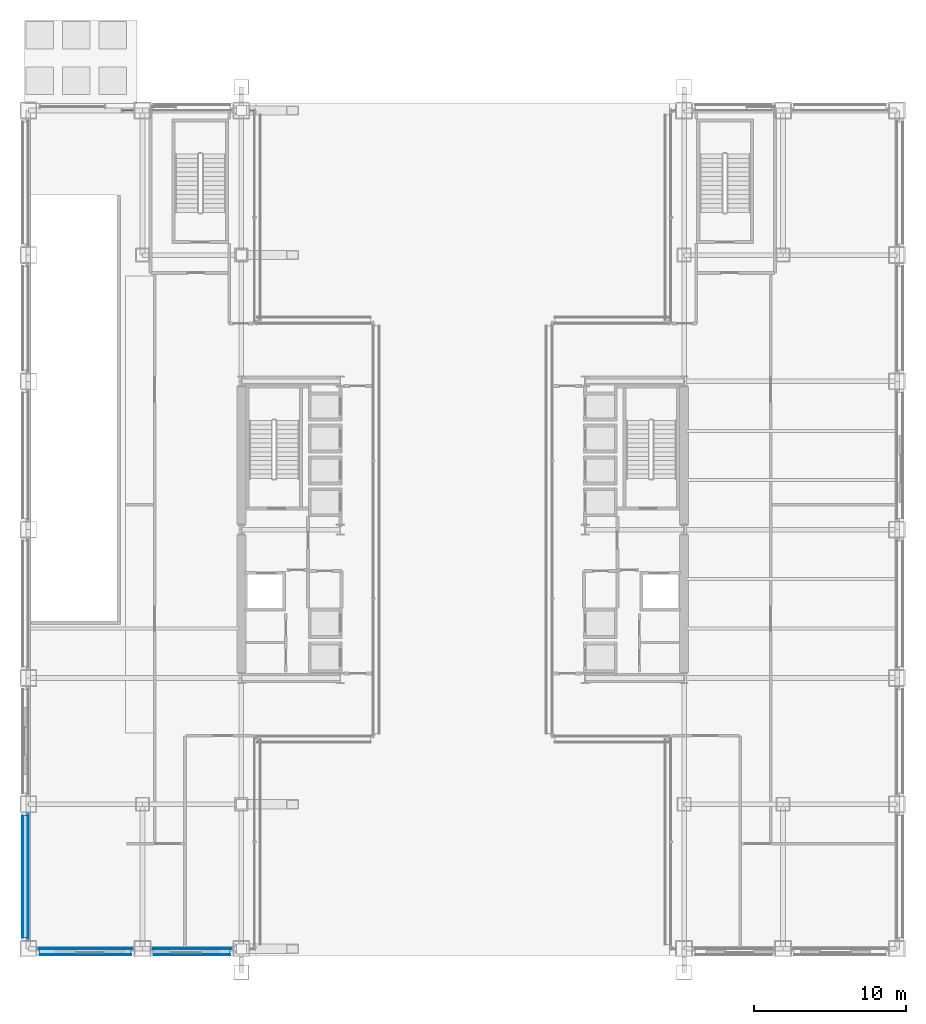
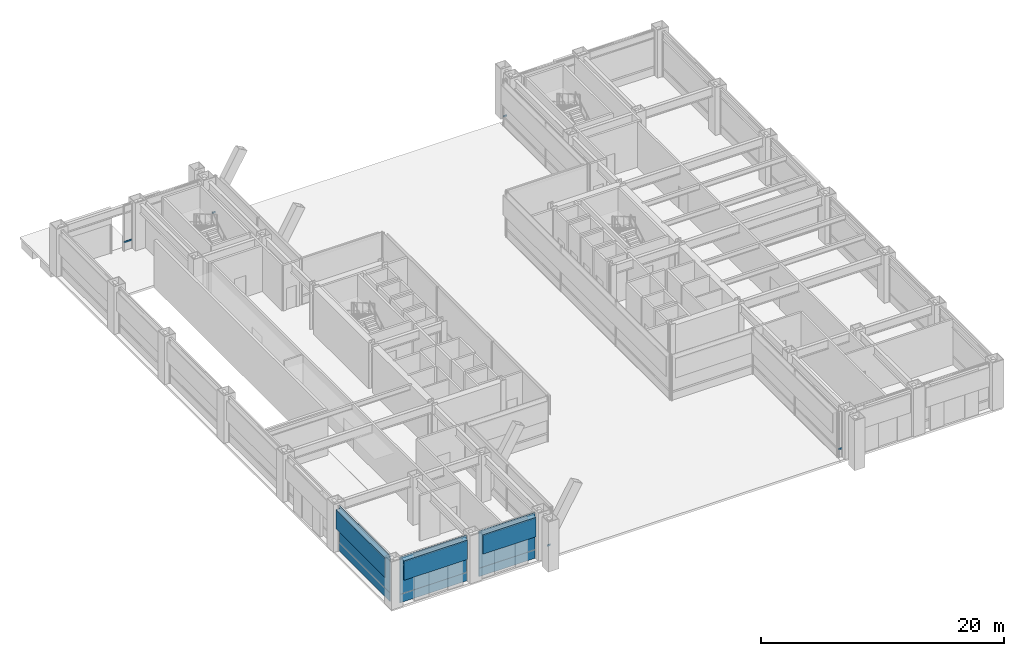
# One storey, part 21 of 37: 12 plates, 5 members, 8 elements without a shape of their own.
"""IFC4 building model written with IfcOpenShell, lengths in metres."""

import ifcopenshell
import ifcopenshell.guid

model = None  # the IFC model being written
_history = None  # IfcOwnerHistory: only IFC2X3 demands one
_inside = {}  # id of a spatial element -> (the spatial element, [elements in it])
_under = {}  # id of a project, library or spatial element -> (it, [spatial elements below it])
_declared = {}  # id of a project -> (the project, [libraries it declares])
_typed = {}  # id of a type object -> (the type object, [elements of that type])
_made_of = {}  # id of a material, layer set ... -> (it, [elements and type objects made of it])


def new_model(schema):
    """Start an empty IFC model of exactly this schema.

    Asked for "IFC4X3", IfcOpenShell would pick the latest addendum, in which some entities
    have other attributes; the version numbers below select the first issue.
    IFC2X3 requires an IfcOwnerHistory on every rooted entity: one is made here for all.
    """
    global model, _history
    if schema == "IFC4X3":
        model = ifcopenshell.file(schema_version=(4, 3, 0, 0))
    else:
        model = ifcopenshell.file(schema=schema)
    _inside.clear()
    _under.clear()
    _declared.clear()
    _typed.clear()
    _made_of.clear()
    _history = None
    if model.schema == "IFC2X3":
        org = make("IfcOrganization", Name="unknown")
        user = make(
            "IfcPersonAndOrganization",
            ThePerson=make("IfcPerson", FamilyName="unknown"),
            TheOrganization=org,
        )
        app = make(
            "IfcApplication",
            ApplicationDeveloper=org,
            Version="unknown",
            ApplicationFullName="unknown",
            ApplicationIdentifier="unknown",
        )
        _history = make(
            "IfcOwnerHistory",
            OwningUser=user,
            OwningApplication=app,
            ChangeAction="ADDED",
            CreationDate=0,
        )
    return model


def make(cls, **values):
    """One entity of the class cls with the attributes given. An attribute that is None is left unset."""
    return model.create_entity(
        cls, **{name: value for name, value in values.items() if value is not None}
    )


def rooted(cls, **values):
    """An entity with a GlobalId (a new one), such as an element, a storey or a relation."""
    return make(cls, GlobalId=ifcopenshell.guid.new(), OwnerHistory=_history, **values)


def si_unit(unit_type, name, prefix=None):
    """IfcSIUnit, for example si_unit("LENGTHUNIT", "METRE", prefix="MILLI")."""
    return make("IfcSIUnit", UnitType=unit_type, Prefix=prefix, Name=name)


def assignment(units):
    """IfcUnitAssignment: the units of a project."""
    return None if units is None else make("IfcUnitAssignment", Units=units)


def point(xyz):
    """IfcCartesianPoint."""
    return None if xyz is None else make("IfcCartesianPoint", Coordinates=xyz)


def direction(xyz):
    """IfcDirection."""
    return None if xyz is None else make("IfcDirection", DirectionRatios=xyz)


def frame(location, z_axis=None, x_axis=None):
    """IfcAxis2Placement3D, a coordinate frame: its origin and axes. An axis left out is left unset."""
    return make(
        "IfcAxis2Placement3D",
        Location=point(location),
        Axis=direction(z_axis),
        RefDirection=direction(x_axis),
    )


def frame_2d(location, x_axis=None):
    """IfcAxis2Placement2D, a coordinate frame in the plane: its origin and x axis."""
    return make(
        "IfcAxis2Placement2D", Location=point(location), RefDirection=direction(x_axis)
    )


def origin():
    """The frame at (0, 0, 0) with its axes left unset."""
    return frame((0.0, 0.0, 0.0))


def origin_2d():
    """The frame at (0, 0) in the plane with its x axis left unset."""
    return frame_2d((0.0, 0.0))


def place(relative_to, where):
    """IfcLocalPlacement: puts the frame where relative to a parent placement (None: the world)."""
    return make(
        "IfcLocalPlacement", PlacementRelTo=relative_to, RelativePlacement=where
    )


def context(
    kind, dimensions, precision=None, world=None, true_north=None, identifier=None
):
    """IfcGeometricRepresentationContext, for example the 3D "Model" context."""
    return make(
        "IfcGeometricRepresentationContext",
        ContextIdentifier=identifier,
        ContextType=kind,
        CoordinateSpaceDimension=dimensions,
        Precision=precision,
        WorldCoordinateSystem=world,
        TrueNorth=true_north,
    )


def subcontext(parent, identifier, kind, view, scale=None):
    """IfcGeometricRepresentationSubContext, for example "Body" below "Model"."""
    return make(
        "IfcGeometricRepresentationSubContext",
        ContextIdentifier=identifier,
        ContextType=kind,
        ParentContext=parent,
        TargetScale=scale,
        TargetView=view,
    )


def project(units=None, contexts=None):
    """IfcProject with its units and contexts."""
    return rooted(
        "IfcProject",
        Name="project",
        RepresentationContexts=contexts,
        UnitsInContext=assignment(units),
    )


def spatial(cls, under=None, at=None, **own):
    """A site, building, storey or space (cls), placed at a placement, below another one or the project."""
    s = rooted(cls, ObjectPlacement=at, **own)
    if under is not None:
        _under.setdefault(under.id(), (under, []))[1].append(s)
    return s


def profile(cls, at=None, kind="AREA", **sizes):
    """A parametric profile (cls). Its sizes go by their IFC names, for example OverallWidth=200.0."""
    return make(cls, ProfileType=kind, Position=at, **sizes)


def rectangle(**sizes):
    """IfcRectangleProfileDef."""
    return profile("IfcRectangleProfileDef", **sizes)


def hollow_rectangle(**sizes):
    """IfcRectangleHollowProfileDef."""
    return profile("IfcRectangleHollowProfileDef", **sizes)


def extrude(swept, where, along, depth):
    """IfcExtrudedAreaSolid: the profile swept, set in the frame where, extruded along a direction by depth."""
    return make(
        "IfcExtrudedAreaSolid",
        SweptArea=swept,
        Position=where,
        ExtrudedDirection=direction(along),
        Depth=depth,
    )


def shape(context_of_items, identifier, shape_type, items):
    """IfcShapeRepresentation: the items that make up one representation, for example the "Body"."""
    return make(
        "IfcShapeRepresentation",
        ContextOfItems=context_of_items,
        RepresentationIdentifier=identifier,
        RepresentationType=shape_type,
        Items=items,
    )


def material(Name=None, Category=None):
    """IfcMaterial."""
    return make("IfcMaterial", Name=Name, Category=Category)


def layer(
    of_material, thickness, ventilated=None, Name=None, Category=None, Priority=None
):
    """IfcMaterialLayer: one layer of a wall or slab, of a material (None: an air gap)."""
    return make(
        "IfcMaterialLayer",
        Material=of_material,
        LayerThickness=thickness,
        IsVentilated=ventilated,
        Name=Name,
        Category=Category,
        Priority=Priority,
    )


def layer_set(layers, Name=None):
    """IfcMaterialLayerSet."""
    return make("IfcMaterialLayerSet", MaterialLayers=layers, LayerSetName=Name)


def material_profile(
    of_material, cross_section, Name=None, Category=None, Priority=None
):
    """IfcMaterialProfile: a cross section and its material."""
    return make(
        "IfcMaterialProfile",
        Name=Name,
        Material=of_material,
        Profile=cross_section,
        Priority=Priority,
        Category=Category,
    )


def profile_set(profiles, Name=None, composite=None):
    """IfcMaterialProfileSet."""
    return make(
        "IfcMaterialProfileSet",
        Name=Name,
        MaterialProfiles=profiles,
        CompositeProfile=composite,
    )


def made_of(thing, what):
    """Note that an element or type object is made of a material, layer set ...; save() writes the relation."""
    if what is not None:
        _made_of.setdefault(what.id(), (what, []))[1].append(thing)
    return thing


def type_object(cls, material=None, **own):
    """A type object (cls), such as IfcWallType, which elements share."""
    return made_of(rooted(cls, **own), material)


def element(
    cls,
    number,
    at=None,
    inside=None,
    cuts=None,
    type_object=None,
    material=None,
    context=None,
    identifier="Body",
    shape_type=None,
    held_by="IfcProductDefinitionShape",
    body=None,
    shapes=None,
    **own,
):
    """One element of the class cls, such as IfcWall. Its Tag is "e" and its number.

    at: its placement. inside: the storey or other place that contains it. cuts: it is an
    opening in that element (IfcRelVoidsElement). A single representation is given by context,
    identifier, shape_type and body (its items); several are given by shapes. held_by: the class
    of the entity that holds the representations. save() writes the other relations.
    """
    e = rooted(cls, Tag="e%d" % number, ObjectPlacement=at, **own)
    if body is not None:
        shapes = [shape(context, identifier, shape_type, body)]
    if shapes is not None:
        e.Representation = make(held_by, Representations=shapes)
    if inside is not None:
        _inside.setdefault(inside.id(), (inside, []))[1].append(e)
    if cuts is not None:
        rooted(
            "IfcRelVoidsElement", RelatingBuildingElement=cuts, RelatedOpeningElement=e
        )
    if type_object is not None:
        _typed.setdefault(type_object.id(), (type_object, []))[1].append(e)
    return made_of(e, material)


def aggregate(whole, parts):
    """IfcRelAggregates: a whole, such as a stair, and the parts it consists of."""
    return rooted("IfcRelAggregates", RelatingObject=whole, RelatedObjects=parts)


def save(model, path):
    """Write the relations noted so far, then the file.

    IfcRelAggregates (storeys below a building ...), IfcRelContainedInSpatialStructure (elements
    in a storey), IfcRelDefinesByType, IfcRelAssociatesMaterial and IfcRelDeclares: one each for
    every whole, place, type object, material and project.
    """
    for whole, parts in _under.values():
        aggregate(whole, parts)
    for where, things in _inside.values():
        rooted(
            "IfcRelContainedInSpatialStructure",
            RelatedElements=things,
            RelatingStructure=where,
        )
    for kind, things in _typed.values():
        rooted("IfcRelDefinesByType", RelatedObjects=things, RelatingType=kind)
    for what, things in _made_of.values():
        rooted("IfcRelAssociatesMaterial", RelatedObjects=things, RelatingMaterial=what)
    for by, libraries in _declared.values():
        rooted("IfcRelDeclares", RelatingContext=by, RelatedDefinitions=libraries)
    model.write(path)


model = new_model("IFC4")

# Units and contexts
model_context = context("Model", 3, precision=1e-05, world=origin(), true_north=direction((0.0, 1.0)))
body_context = subcontext(model_context, "Body", "Model", "MODEL_VIEW")
ifc_project = project(units=[si_unit("LENGTHUNIT", "METRE"), si_unit("AREAUNIT", "SQUARE_METRE"), si_unit("VOLUMEUNIT", "CUBIC_METRE"), si_unit("PLANEANGLEUNIT", "RADIAN"), si_unit("MASSUNIT", "GRAM", prefix="KILO")], contexts=[model_context])

# Site, building, storey
site_placement = place(None, origin())
site = spatial("IfcSite", under=ifc_project, at=site_placement, CompositionType="ELEMENT")
building_placement = place(site_placement, origin())
building = spatial("IfcBuilding", under=site, at=building_placement, Name="Brelmoor Portico Tower", CompositionType="ELEMENT")
storey_placement = place(building_placement, origin())
storey = spatial("IfcBuildingStorey", under=building, at=storey_placement, Name="L00", CompositionType="ELEMENT", Elevation=0.0)

# Curtain wall, member
ifc_material_1 = material(Name="Anodised Aluminium Alloy 6063-T6", Category="aluminium")
ifc_layer_1 = layer(ifc_material_1, 0.179931640625)
ifc_layer_set_1 = layer_set([ifc_layer_1], Name="Anodised Aluminium Alloy 6063-T6")
curtain_wall_type = type_object("IfcCurtainWallType", Name="CW-PODIUM-ARCH", PredefinedType="NOTDEFINED", material=ifc_layer_set_1)
curtain_wall_1_placement = place(storey_placement, origin())
curtain_wall_1 = element("IfcCurtainWall", 1, at=curtain_wall_1_placement, inside=storey, type_object=curtain_wall_type, Name="L00 Curtain Wall CW-L00-01-3", PredefinedType="NOTDEFINED")
ifc_material_profile = material_profile(ifc_material_1, hollow_rectangle(XDim=0.070068359375, YDim=0.159912109375, WallThickness=0.00390625, at=origin_2d()), Name="ALU TRANSOM 70x160")
ifc_profile_set = profile_set([ifc_material_profile], Name="Anodised Aluminium Alloy 6063-T6")
member_type = type_object("IfcMemberType", Name="MB-CW-TRAN-160", PredefinedType="USERDEFINED", material=ifc_profile_set)
member_1_placement = place(storey_placement, frame((-13.989990234375, -27.550048828125, 0.85009765625), z_axis=(1.0, 0.0, 0.0), x_axis=(0.0, 1.0, 0.0)))
member_1 = element("IfcMember", 2, at=member_1_placement, type_object=member_type, Name="CW-L00-01-3 Transom 1-00", ObjectType="TRANSOM", PredefinedType="USERDEFINED", context=body_context, shape_type="SweptSolid", body=[
    extrude(hollow_rectangle(XDim=0.070068359375, YDim=0.159912109375, WallThickness=0.00390625, at=origin_2d()), origin(), (0.0, 0.0, 1.0), 0.31005859375),
])
aggregate(curtain_wall_1, [member_1])

curtain_wall_2_placement = place(storey_placement, origin())
curtain_wall_2 = element("IfcCurtainWall", 3, at=curtain_wall_2_placement, inside=storey, type_object=curtain_wall_type, Name="L00 Curtain Wall CW-L00-02-1", PredefinedType="NOTDEFINED")
member_2_placement = place(storey_placement, frame((13.679931640625, -27.550048828125, 0.85009765625), z_axis=(1.0, 0.0, 0.0), x_axis=(0.0, 1.0, 0.0)))
member_2 = element("IfcMember", 4, at=member_2_placement, type_object=member_type, Name="CW-L00-02-1 Transom 1-00", ObjectType="TRANSOM", PredefinedType="USERDEFINED", context=body_context, shape_type="SweptSolid", body=[
    extrude(hollow_rectangle(XDim=0.070068359375, YDim=0.159912109375, WallThickness=0.00390625, at=origin_2d()), origin(), (0.0, 0.0, 1.0), 0.31005859375),
])
aggregate(curtain_wall_2, [member_2])

curtain_wall_3_placement = place(storey_placement, origin())
curtain_wall_3 = element("IfcCurtainWall", 5, at=curtain_wall_3_placement, inside=storey, type_object=curtain_wall_type, Name="L00 Curtain Wall CW-L00-03-1", PredefinedType="NOTDEFINED")
member_3_placement = place(storey_placement, frame((-22.39990234375, 27.550048828125, 0.85009765625), z_axis=(1.0, 0.0, 0.0), x_axis=(0.0, 1.0, 0.0)))
member_3 = element("IfcMember", 6, at=member_3_placement, type_object=member_type, Name="CW-L00-03-1 Transom 1-00", ObjectType="TRANSOM", PredefinedType="USERDEFINED", context=body_context, shape_type="SweptSolid", body=[
    extrude(hollow_rectangle(XDim=0.070068359375, YDim=0.159912109375, WallThickness=0.00390625, at=origin_2d()), origin(), (0.0, 0.0, 1.0), 0.789794921875),
])
aggregate(curtain_wall_3, [member_3])

curtain_wall_4_placement = place(storey_placement, origin())
curtain_wall_4 = element("IfcCurtainWall", 7, at=curtain_wall_4_placement, inside=storey, type_object=curtain_wall_type, Name="L00 Curtain Wall CW-L00-03-3", PredefinedType="NOTDEFINED")
member_4_placement = place(storey_placement, frame((-13.989990234375, 27.550048828125, 0.85009765625), z_axis=(1.0, 0.0, 0.0), x_axis=(0.0, 1.0, 0.0)))
member_4 = element("IfcMember", 8, at=member_4_placement, type_object=member_type, Name="CW-L00-03-3 Transom 1-00", ObjectType="TRANSOM", PredefinedType="USERDEFINED", context=body_context, shape_type="SweptSolid", body=[
    extrude(hollow_rectangle(XDim=0.070068359375, YDim=0.159912109375, WallThickness=0.00390625, at=origin_2d()), origin(), (0.0, 0.0, 1.0), 0.31005859375),
])
aggregate(curtain_wall_4, [member_4])

curtain_wall_5_placement = place(storey_placement, origin())
curtain_wall_5 = element("IfcCurtainWall", 9, at=curtain_wall_5_placement, inside=storey, type_object=curtain_wall_type, Name="L00 Curtain Wall CW-L00-04-1", PredefinedType="NOTDEFINED")
member_5_placement = place(storey_placement, frame((13.679931640625, 27.550048828125, 0.85009765625), z_axis=(1.0, 0.0, 0.0), x_axis=(0.0, 1.0, 0.0)))
member_5 = element("IfcMember", 10, at=member_5_placement, type_object=member_type, Name="CW-L00-04-1 Transom 1-00", ObjectType="TRANSOM", PredefinedType="USERDEFINED", context=body_context, shape_type="SweptSolid", body=[
    extrude(hollow_rectangle(XDim=0.070068359375, YDim=0.159912109375, WallThickness=0.00390625, at=origin_2d()), origin(), (0.0, 0.0, 1.0), 0.31005859375),
])
aggregate(curtain_wall_5, [member_5])

# Curtain wall, plate
curtain_wall_6_placement = place(storey_placement, origin())
curtain_wall_6 = element("IfcCurtainWall", 11, at=curtain_wall_6_placement, inside=storey, type_object=curtain_wall_type, Name="L00 Curtain Wall CW-L00-01-1", PredefinedType="NOTDEFINED")
ifc_material_2 = material(Name="Double-Silver Low-E Insulated Glazing", Category="glass")
ifc_layer_2 = layer(ifc_material_2, 0.035888671875)
ifc_layer_set_2 = layer_set([ifc_layer_2], Name="Double-Silver Low-E Insulated Glazing")
plate_type_1 = type_object("IfcPlateType", Name="PT-CW-GLASS", PredefinedType="CURTAIN_PANEL", material=ifc_layer_set_2)
plate_1_placement = place(storey_placement, frame((-24.800048828125, -27.550048828125, 0.85009765625), z_axis=(0.0, 0.0, 1.0), x_axis=(1.0, 0.0, 0.0)))
plate_1 = element("IfcPlate", 12, at=plate_1_placement, type_object=plate_type_1, Name="CW-L00-01-1 Vision Glass Panel 00", PredefinedType="CURTAIN_PANEL", context=body_context, shape_type="SweptSolid", body=[
    extrude(rectangle(XDim=6.35009765625, YDim=0.035888671875, at=origin_2d()), origin(), (0.0, 0.0, 1.0), 3.72998046875),
])

curtain_wall_7_placement = place(storey_placement, origin())
curtain_wall_7 = element("IfcCurtainWall", 13, at=curtain_wall_7_placement, inside=storey, type_object=curtain_wall_type, Name="L00 Curtain Wall CW-L00-01-2", PredefinedType="NOTDEFINED")
plate_2_placement = place(storey_placement, frame((-17.800048828125, -27.550048828125, 0.85009765625), z_axis=(0.0, 0.0, 1.0), x_axis=(1.0, 0.0, 0.0)))
plate_2 = element("IfcPlate", 14, at=plate_2_placement, type_object=plate_type_1, Name="CW-L00-01-2 Vision Glass Panel 00", PredefinedType="CURTAIN_PANEL", context=body_context, shape_type="SweptSolid", body=[
    extrude(rectangle(XDim=5.35009765625, YDim=0.035888671875, at=origin_2d()), origin(), (0.0, 0.0, 1.0), 3.72998046875),
])

curtain_wall_8_placement = place(storey_placement, origin())
curtain_wall_8 = element("IfcCurtainWall", 15, at=curtain_wall_8_placement, inside=storey, type_object=curtain_wall_type, Name="L00 Curtain Wall CW-L00-05-1", PredefinedType="NOTDEFINED")
plate_3_placement = place(storey_placement, frame((-28.550048828125, -22.800048828125, 0.85009765625), z_axis=(0.0, 0.0, 1.0), x_axis=(0.0, 1.0, 0.0)))
plate_3 = element("IfcPlate", 16, at=plate_3_placement, type_object=plate_type_1, Name="CW-L00-05-1 Vision Glass Panel 00", PredefinedType="CURTAIN_PANEL", context=body_context, shape_type="SweptSolid", body=[
    extrude(rectangle(XDim=8.35009765625, YDim=0.035888671875, at=origin_2d()), origin(), (0.0, 0.0, 1.0), 3.72998046875),
])

# Plate
ifc_material_3 = material(Name="Pale Champagne Anodised Aluminium Panel", Category="aluminium")
ifc_layer_3 = layer(ifc_material_3, 0.050048828125)
ifc_layer_set_3 = layer_set([ifc_layer_3], Name="Pale Champagne Anodised Aluminium Panel")
plate_type_2 = type_object("IfcPlateType", Name="PT-CW-SPANDREL", PredefinedType="SHEET", material=ifc_layer_set_3)
plate_4_placement = place(storey_placement, frame((-24.800048828125, -27.550048828125, 0.0), z_axis=(0.0, 0.0, 1.0), x_axis=(1.0, 0.0, 0.0)))
plate_4 = element("IfcPlate", 17, at=plate_4_placement, type_object=plate_type_2, Name="CW-L00-01-1 Spandrel Panel 00", PredefinedType="SHEET", context=body_context, shape_type="SweptSolid", body=[
    extrude(rectangle(XDim=6.35009765625, YDim=0.050048828125, at=origin_2d()), origin(), (0.0, 0.0, 1.0), 0.85009765625),
])

aggregate(curtain_wall_6, [plate_4, plate_1])

plate_5_placement = place(storey_placement, frame((-17.800048828125, -27.550048828125, 0.0), z_axis=(0.0, 0.0, 1.0), x_axis=(1.0, 0.0, 0.0)))
plate_5 = element("IfcPlate", 18, at=plate_5_placement, type_object=plate_type_2, Name="CW-L00-01-2 Spandrel Panel 00", PredefinedType="SHEET", context=body_context, shape_type="SweptSolid", body=[
    extrude(rectangle(XDim=5.35009765625, YDim=0.050048828125, at=origin_2d()), origin(), (0.0, 0.0, 1.0), 0.85009765625),
])

aggregate(curtain_wall_7, [plate_5, plate_2])

plate_6_placement = place(storey_placement, frame((-28.550048828125, -22.800048828125, 0.0), z_axis=(0.0, 0.0, 1.0), x_axis=(0.0, 1.0, 0.0)))
plate_6 = element("IfcPlate", 19, at=plate_6_placement, type_object=plate_type_2, Name="CW-L00-05-1 Spandrel Panel 00", PredefinedType="SHEET", context=body_context, shape_type="SweptSolid", body=[
    extrude(rectangle(XDim=8.35009765625, YDim=0.050048828125, at=origin_2d()), origin(), (0.0, 0.0, 1.0), 0.85009765625),
])

aggregate(curtain_wall_8, [plate_6, plate_3])

# Plates
ifc_material_4 = material(Name="Powder-Coated Aluminium Shuttered Jalousie Louvre", Category="aluminium")
ifc_layer_4 = layer(ifc_material_4, 0.06005859375)
ifc_layer_set_4 = layer_set([ifc_layer_4], Name="Powder-Coated Aluminium Shuttered Jalousie Louvre")
plate_type_3 = type_object("IfcPlateType", Name="PT-JALOUSIE-SHUTTER", PredefinedType="SHEET", material=ifc_layer_set_4)
plate_7_placement = place(storey_placement, frame((-24.800048828125, -27.929931640625, 2.4404296875), z_axis=(0.0, 0.0, 1.0), x_axis=(1.0, 0.0, 0.0)))
element("IfcPlate", 20, at=plate_7_placement, inside=storey, type_object=plate_type_3, Name="CW-L00-01-1 Perforated Jalousie Solar Screen", PredefinedType="SHEET", context=body_context, shape_type="SweptSolid", body=[
    extrude(rectangle(XDim=6.02001953125, YDim=0.06494140625, at=origin_2d()), origin(), (0.0, 0.0, 1.0), 1.939697265625),
])
plate_8_placement = place(storey_placement, frame((-17.800048828125, -27.929931640625, 2.4404296875), z_axis=(0.0, 0.0, 1.0), x_axis=(1.0, 0.0, 0.0)))
element("IfcPlate", 21, at=plate_8_placement, inside=storey, type_object=plate_type_3, Name="CW-L00-01-2 Perforated Jalousie Solar Screen", PredefinedType="SHEET", context=body_context, shape_type="SweptSolid", body=[
    extrude(rectangle(XDim=5.02001953125, YDim=0.06494140625, at=origin_2d()), origin(), (0.0, 0.0, 1.0), 1.939697265625),
])
plate_9_placement = place(storey_placement, frame((-28.929931640625, -22.800048828125, 2.4404296875), z_axis=(0.0, 0.0, 1.0), x_axis=(0.0, 1.0, 0.0)))
element("IfcPlate", 22, at=plate_9_placement, inside=storey, type_object=plate_type_3, Name="CW-L00-05-1 Perforated Jalousie Solar Screen", PredefinedType="SHEET", context=body_context, shape_type="SweptSolid", body=[
    extrude(rectangle(XDim=8.02001953125, YDim=0.06494140625, at=origin_2d()), origin(), (0.0, 0.0, 1.0), 1.939697265625),
])
ifc_material_5 = material(Name="Pale Champagne Perforated Aluminium Solar Screen", Category="aluminium")
ifc_layer_5 = layer(ifc_material_5, 0.054931640625)
ifc_layer_set_5 = layer_set([ifc_layer_5], Name="Pale Champagne Perforated Aluminium Solar Screen")
plate_type_4 = type_object("IfcPlateType", Name="PT-SOLAR-LOUVRE", PredefinedType="SHEET", material=ifc_layer_set_5)
plate_10_placement = place(storey_placement, frame((-24.800048828125, -27.760009765625, 4.27001953125), z_axis=(0.0, 0.0, 1.0), x_axis=(1.0, 0.0, 0.0)))
element("IfcPlate", 23, at=plate_10_placement, inside=storey, type_object=plate_type_4, Name="CW-L00-01-1 Caribbean Brise-Soleil Solar Screen", PredefinedType="SHEET", context=body_context, shape_type="SweptSolid", body=[
    extrude(rectangle(XDim=6.02001953125, YDim=0.4599609375, at=origin_2d()), origin(), (0.0, 0.0, 1.0), 0.139892578125),
])
plate_11_placement = place(storey_placement, frame((-17.800048828125, -27.760009765625, 4.27001953125), z_axis=(0.0, 0.0, 1.0), x_axis=(1.0, 0.0, 0.0)))
element("IfcPlate", 24, at=plate_11_placement, inside=storey, type_object=plate_type_4, Name="CW-L00-01-2 Caribbean Brise-Soleil Solar Screen", PredefinedType="SHEET", context=body_context, shape_type="SweptSolid", body=[
    extrude(rectangle(XDim=5.02001953125, YDim=0.4599609375, at=origin_2d()), origin(), (0.0, 0.0, 1.0), 0.139892578125),
])
plate_12_placement = place(storey_placement, frame((-28.760009765625, -22.800048828125, 4.27001953125), z_axis=(0.0, 0.0, 1.0), x_axis=(0.0, 1.0, 0.0)))
element("IfcPlate", 25, at=plate_12_placement, inside=storey, type_object=plate_type_4, Name="CW-L00-05-1 Caribbean Brise-Soleil Solar Screen", PredefinedType="SHEET", context=body_context, shape_type="SweptSolid", body=[
    extrude(rectangle(XDim=8.02001953125, YDim=0.4599609375, at=origin_2d()), origin(), (0.0, 0.0, 1.0), 0.139892578125),
])

save(model, "model.ifc")
